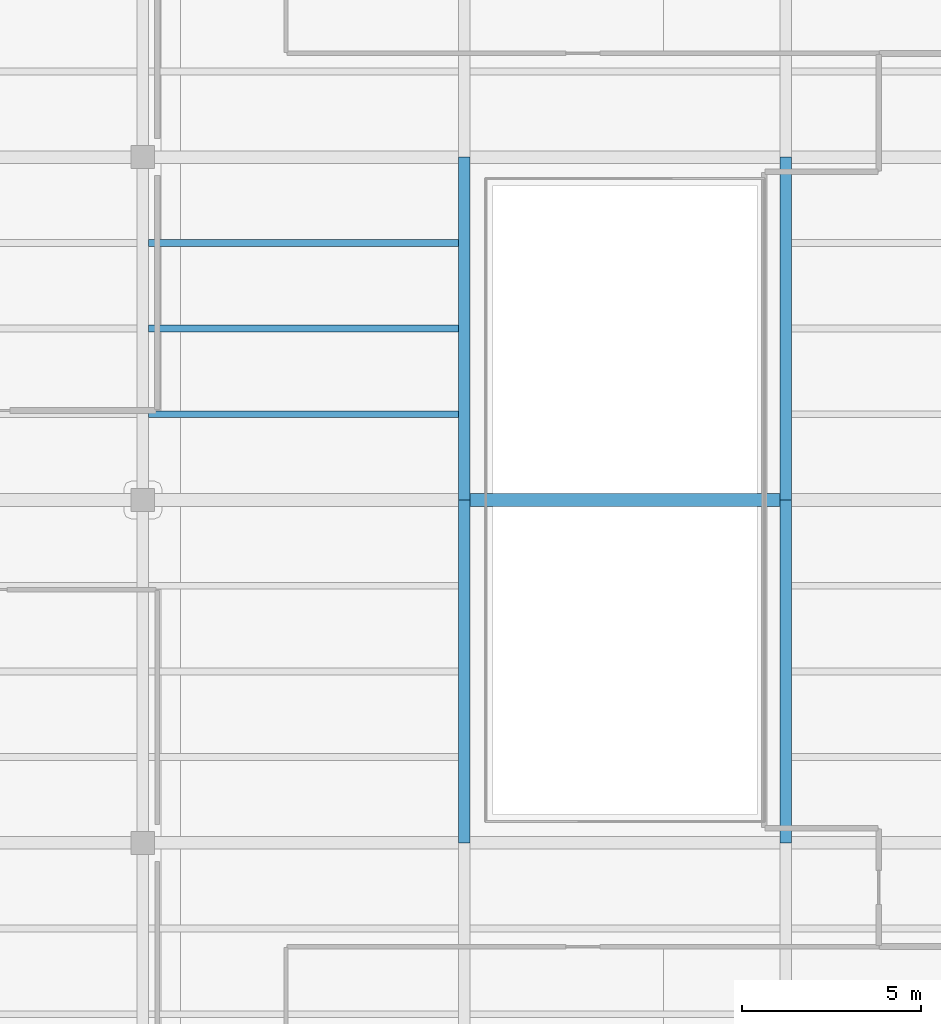
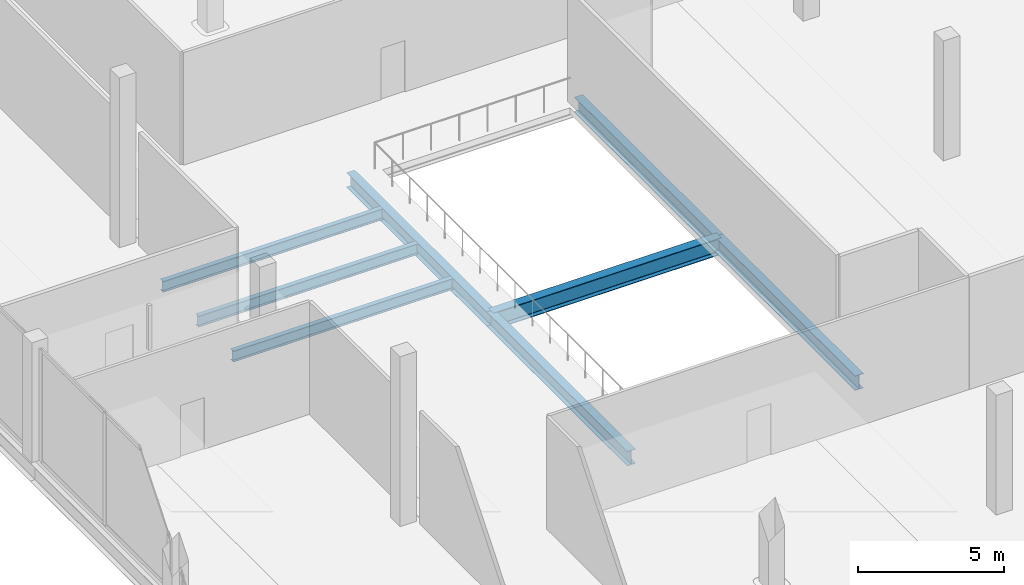
# One storey, part 10 of 43: 8 beams.
"""IFC4 building model written with IfcOpenShell, lengths in metres."""

from ifc_helpers import new_model, si_unit, direction, frame, origin, origin_2d, place, context, subcontext, project, spatial, i_section, extrude, material, material_profile, profile_set, type_object, element, save


model = new_model("IFC4")

# Units and contexts
model_context = context("Model", 3, precision=1e-05, world=origin(), true_north=direction((0.0, 1.0)))
body_context = subcontext(model_context, "Body", "Model", "MODEL_VIEW")
ifc_project = project(units=[si_unit("LENGTHUNIT", "METRE"), si_unit("AREAUNIT", "SQUARE_METRE"), si_unit("VOLUMEUNIT", "CUBIC_METRE"), si_unit("PLANEANGLEUNIT", "RADIAN"), si_unit("MASSUNIT", "GRAM", prefix="KILO")], contexts=[model_context])

# Site, building, storey
site_placement = place(None, origin())
site = spatial("IfcSite", under=ifc_project, at=site_placement, CompositionType="ELEMENT")
building_placement = place(site_placement, origin())
building = spatial("IfcBuilding", under=site, at=building_placement, Name="Qorvath Tower", CompositionType="ELEMENT")
storey_placement = place(building_placement, frame((0.0, 0.0, 22.0)))
storey = spatial("IfcBuildingStorey", under=building, at=storey_placement, Name="L04", CompositionType="ELEMENT", Elevation=22.0)

# Beams
ifc_material_1 = material(Name="Steel ASTM A992 Grade 50", Category="steel")
ifc_material_profile_1 = material_profile(ifc_material_1, i_section(OverallWidth=0.35595703125, OverallDepth=0.696044921875, WebThickness=0.015380859375, FlangeThickness=0.02490234375, FilletRadius=0.01806640625, at=origin_2d()), Name="W27x146")
ifc_profile_set_1 = profile_set([ifc_material_profile_1], Name="Steel ASTM A992 Grade 50")
beam_type_1 = type_object("IfcBeamType", Name="BM-FG4", PredefinedType="BEAM", material=ifc_profile_set_1)
beam_placement = place(storey_placement, frame((50.39990234375, 0.0, -0.60791015625), z_axis=(1.0, 0.0, 0.0), x_axis=(0.0, 1.0, 0.0)))
element("IfcBeam", 1, at=beam_placement, inside=storey, type_object=beam_type_1, Name="Library E-W Girder L04-5-3", PredefinedType="BEAM", context=body_context, shape_type="SweptSolid", body=[
    extrude(i_section(OverallWidth=0.35595703125, OverallDepth=0.696044921875, WebThickness=0.015380859375, FlangeThickness=0.02490234375, FilletRadius=0.01806640625, at=origin_2d()), origin(), (0.0, 0.0, 1.0), 9.0),
])
ifc_material_2 = material(Name="Steel ASTM A992 Grade 50", Category="steel")
ifc_material_profile_2 = material_profile(ifc_material_2, i_section(OverallWidth=0.324951171875, OverallDepth=0.615966796875, WebThickness=0.013916015625, FlangeThickness=0.021484375, FilletRadius=0.01611328125, at=origin_2d()), Name="W24x117")
ifc_profile_set_2 = profile_set([ifc_material_profile_2], Name="Steel ASTM A992 Grade 50")
beam_type_2 = type_object("IfcBeamType", Name="BM-FG5", PredefinedType="BEAM", material=ifc_profile_set_2)
for number, where, z_axis, x_axis, name in (
    (2, (50.39990234375, -9.60009765625, -0.568115234375), (0.0, 1.0, 0.0), (-1.0, 0.0, 0.0), "Library N-S Girder L04-3-4"),
    (3, (50.39990234375, 0.0, -0.568115234375), (0.0, 1.0, 0.0), (-1.0, 0.0, 0.0), "Library N-S Girder L04-3-5"),
    (4, (59.39990234375, -9.60009765625, -0.568115234375), (0.0, 1.0, 0.0), (-1.0, 0.0, 0.0), "Library N-S Girder L04-4-4"),
    (5, (59.39990234375, 0.0, -0.568115234375), (0.0, 1.0, 0.0), (-1.0, 0.0, 0.0), "Library N-S Girder L04-4-5"),
):
    element("IfcBeam", number, at=place(storey_placement, frame(where, z_axis=z_axis, x_axis=x_axis)), inside=storey, type_object=beam_type_2, Name=name, PredefinedType="BEAM", context=body_context, shape_type="SweptSolid", body=[
        extrude(i_section(OverallWidth=0.324951171875, OverallDepth=0.615966796875, WebThickness=0.013916015625, FlangeThickness=0.021484375, FilletRadius=0.01611328125, at=origin_2d()), origin(), (0.0, 0.0, 1.0), 9.60009765625),
    ])
ifc_material_3 = material(Name="Steel ASTM A992 Grade 50", Category="steel")
ifc_material_profile_3 = material_profile(ifc_material_3, i_section(OverallWidth=0.18994140625, OverallDepth=0.45703125, WebThickness=0.009033203125, FlangeThickness=0.014404296875, FilletRadius=0.011962890625, at=origin_2d()), Name="W18x50")
ifc_profile_set_3 = profile_set([ifc_material_profile_3], Name="Steel ASTM A992 Grade 50")
beam_type_3 = type_object("IfcBeamType", Name="BM-FJ2", PredefinedType="JOIST", material=ifc_profile_set_3)
for number, where, z_axis, x_axis, name in (
    (6, (41.560546875, 2.39990234375, -0.488525390625), (1.0, 0.0, 0.0), (0.0, 1.0, 0.0), "Library Stack Joist L04-5.1-2"),
    (7, (41.560546875, 4.800048828125, -0.488525390625), (1.0, 0.0, 0.0), (0.0, 1.0, 0.0), "Library Stack Joist L04-5.2-2"),
    (8, (41.560546875, 7.199951171875, -0.488525390625), (1.0, 0.0, 0.0), (0.0, 1.0, 0.0), "Library Stack Joist L04-5.3-2"),
):
    element("IfcBeam", number, at=place(storey_placement, frame(where, z_axis=z_axis, x_axis=x_axis)), inside=storey, type_object=beam_type_3, Name=name, PredefinedType="JOIST", context=body_context, shape_type="SweptSolid", body=[
        extrude(i_section(OverallWidth=0.18994140625, OverallDepth=0.45703125, WebThickness=0.009033203125, FlangeThickness=0.014404296875, FilletRadius=0.011962890625, at=origin_2d()), origin(), (0.0, 0.0, 1.0), 8.678955078125),
    ])

save(model, "model.ifc")
